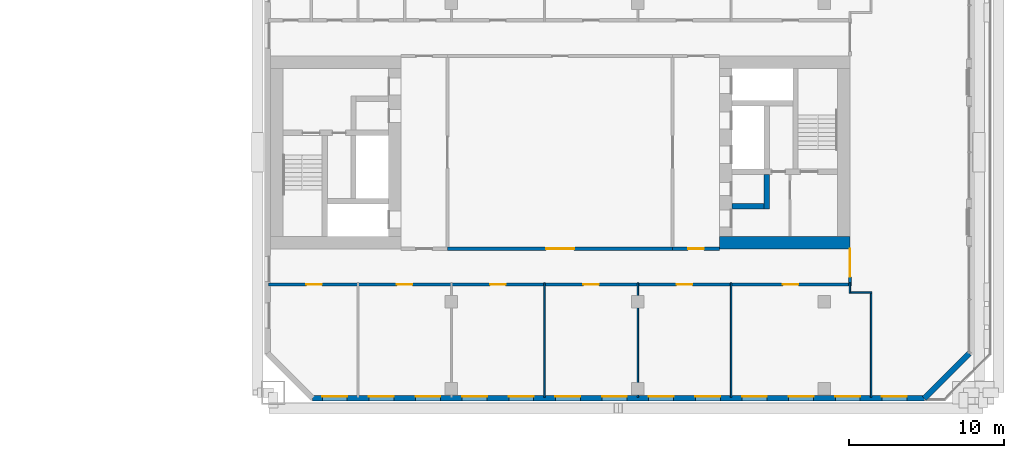
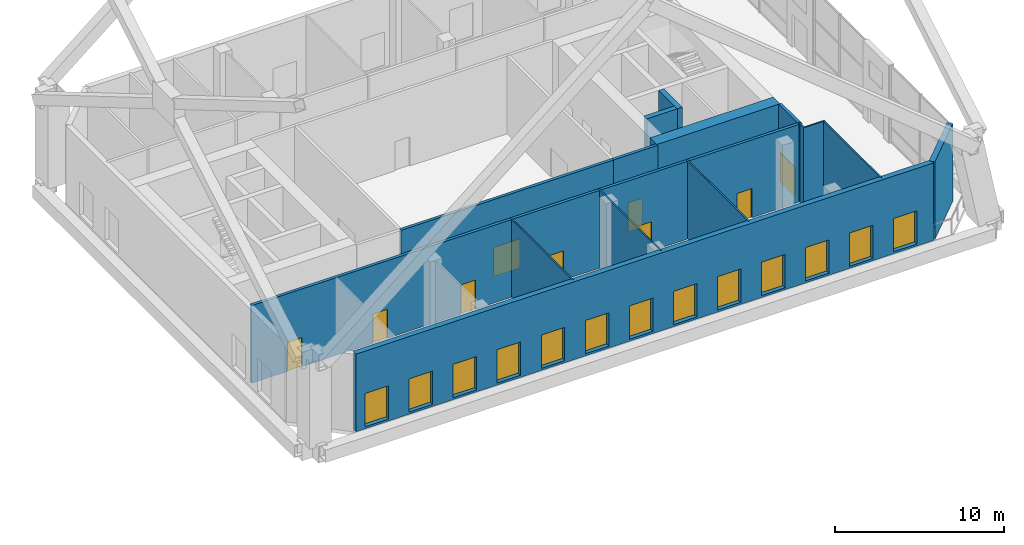
# One storey, part 14 of 20: 15 walls, 13 windows, 9 doors, 22 openings.
"""IFC4 building model written with IfcOpenShell, lengths in metres."""

from ifc_helpers import new_model, si_unit, direction, frame, frame_2d, origin, place, context, subcontext, project, spatial, rectangle, extrude, material, layer, layer_set, type_object, element, fill, save


model = new_model("IFC4")

# Units and contexts
model_context = context("Model", 3, precision=1e-05, world=origin(), true_north=direction((0.0, 1.0)))
body_context = subcontext(model_context, "Body", "Model", "MODEL_VIEW")
ifc_project = project(units=[si_unit("LENGTHUNIT", "METRE"), si_unit("AREAUNIT", "SQUARE_METRE"), si_unit("VOLUMEUNIT", "CUBIC_METRE"), si_unit("PLANEANGLEUNIT", "RADIAN"), si_unit("MASSUNIT", "GRAM", prefix="KILO")], contexts=[model_context])

# Site, building, storey
site_placement = place(None, origin())
site = spatial("IfcSite", under=ifc_project, at=site_placement, CompositionType="ELEMENT")
building_placement = place(site_placement, origin())
building = spatial("IfcBuilding", under=site, at=building_placement, Name="Tuart Gate Housing", CompositionType="ELEMENT")
storey_placement = place(building_placement, frame((0.0, 0.0, 38.10009765625)))
storey = spatial("IfcBuildingStorey", under=building, at=storey_placement, Name="L10", CompositionType="ELEMENT", Elevation=38.10009765625)

# Wall, openings, windows
ifc_material_1 = material(Name="Brick", Category="masonry")
ifc_layer_1 = layer(ifc_material_1, 0.360107421875)
ifc_layer_set_1 = layer_set([ifc_layer_1], Name="Brick pier and spandrel wall 360")
wall_type_1 = type_object("IfcWallType", Name="Brick pier and spandrel wall 360", PredefinedType="STANDARD", material=ifc_layer_set_1)
wall_1_placement = place(storey_placement, frame((134.07470703125, 54.179931640625, 0.0), z_axis=(0.0, 0.0, 1.0), x_axis=(1.0, 0.0, 0.0)))
wall_1 = element("IfcWall", 1, at=wall_1_placement, inside=storey, type_object=wall_type_1, Name="External wall B-S L10", PredefinedType="STANDARD", context=body_context, shape_type="SweptSolid", body=[
    extrude(rectangle(XDim=39.350830078125, YDim=0.360107421875, at=frame_2d((19.67529296875, 0.0))), origin(), (0.0, 0.0, 1.0), 5.599853515625),
])
opening_1_placement = place(wall_1_placement, frame((0.62548828125, 0.0, 0.14990234375)))
opening_1 = element("IfcOpeningElement", 2, at=opening_1_placement, cuts=wall_1, Name="Opening W2", PredefinedType="OPENING", context=body_context, shape_type="SweptSolid", body=[
    extrude(rectangle(XDim=1.60009765625, YDim=2.39990234375, at=frame_2d((0.800048828125, 1.199951171875))), frame((0.0, 0.18994140625, 0.0), z_axis=(0.0, -1.0, 0.0), x_axis=(1.0, 0.0, 0.0)), (0.0, 0.0, 1.0), 0.380126953125),
])
opening_2_placement = place(wall_1_placement, frame((3.62548828125, 0.0, 0.14990234375)))
opening_2 = element("IfcOpeningElement", 3, at=opening_2_placement, cuts=wall_1, Name="Opening W2", PredefinedType="OPENING", context=body_context, shape_type="SweptSolid", body=[
    extrude(rectangle(XDim=1.60009765625, YDim=2.39990234375, at=frame_2d((0.800048828125, 1.199951171875))), frame((0.0, 0.18994140625, 0.0), z_axis=(0.0, -1.0, 0.0), x_axis=(1.0, 0.0, 0.0)), (0.0, 0.0, 1.0), 0.380126953125),
])
opening_3_placement = place(wall_1_placement, frame((6.62548828125, 0.0, 0.14990234375)))
opening_3 = element("IfcOpeningElement", 4, at=opening_3_placement, cuts=wall_1, Name="Opening W2", PredefinedType="OPENING", context=body_context, shape_type="SweptSolid", body=[
    extrude(rectangle(XDim=1.60009765625, YDim=2.39990234375, at=frame_2d((0.800048828125, 1.199951171875))), frame((0.0, 0.18994140625, 0.0), z_axis=(0.0, -1.0, 0.0), x_axis=(1.0, 0.0, 0.0)), (0.0, 0.0, 1.0), 0.380126953125),
])
opening_4_placement = place(wall_1_placement, frame((9.62548828125, 0.0, 0.14990234375)))
opening_4 = element("IfcOpeningElement", 5, at=opening_4_placement, cuts=wall_1, Name="Opening W2", PredefinedType="OPENING", context=body_context, shape_type="SweptSolid", body=[
    extrude(rectangle(XDim=1.60009765625, YDim=2.39990234375, at=frame_2d((0.800048828125, 1.199951171875))), frame((0.0, 0.18994140625, 0.0), z_axis=(0.0, -1.0, 0.0), x_axis=(1.0, 0.0, 0.0)), (0.0, 0.0, 1.0), 0.380126953125),
])
opening_5_placement = place(wall_1_placement, frame((12.62548828125, 0.0, 0.14990234375)))
opening_5 = element("IfcOpeningElement", 6, at=opening_5_placement, cuts=wall_1, Name="Opening W2", PredefinedType="OPENING", context=body_context, shape_type="SweptSolid", body=[
    extrude(rectangle(XDim=1.60009765625, YDim=2.39990234375, at=frame_2d((0.800048828125, 1.199951171875))), frame((0.0, 0.18994140625, 0.0), z_axis=(0.0, -1.0, 0.0), x_axis=(1.0, 0.0, 0.0)), (0.0, 0.0, 1.0), 0.380126953125),
])
opening_6_placement = place(wall_1_placement, frame((15.62548828125, 0.0, 0.14990234375)))
opening_6 = element("IfcOpeningElement", 7, at=opening_6_placement, cuts=wall_1, Name="Opening W2", PredefinedType="OPENING", context=body_context, shape_type="SweptSolid", body=[
    extrude(rectangle(XDim=1.60009765625, YDim=2.39990234375, at=frame_2d((0.800048828125, 1.199951171875))), frame((0.0, 0.18994140625, 0.0), z_axis=(0.0, -1.0, 0.0), x_axis=(1.0, 0.0, 0.0)), (0.0, 0.0, 1.0), 0.380126953125),
])
opening_7_placement = place(wall_1_placement, frame((18.62548828125, 0.0, 0.14990234375)))
opening_7 = element("IfcOpeningElement", 8, at=opening_7_placement, cuts=wall_1, Name="Opening W2", PredefinedType="OPENING", context=body_context, shape_type="SweptSolid", body=[
    extrude(rectangle(XDim=1.60009765625, YDim=2.39990234375, at=frame_2d((0.800048828125, 1.199951171875))), frame((0.0, 0.18994140625, 0.0), z_axis=(0.0, -1.0, 0.0), x_axis=(1.0, 0.0, 0.0)), (0.0, 0.0, 1.0), 0.380126953125),
])
opening_8_placement = place(wall_1_placement, frame((21.62548828125, 0.0, 0.14990234375)))
opening_8 = element("IfcOpeningElement", 9, at=opening_8_placement, cuts=wall_1, Name="Opening W2", PredefinedType="OPENING", context=body_context, shape_type="SweptSolid", body=[
    extrude(rectangle(XDim=1.60009765625, YDim=2.39990234375, at=frame_2d((0.800048828125, 1.199951171875))), frame((0.0, 0.18994140625, 0.0), z_axis=(0.0, -1.0, 0.0), x_axis=(1.0, 0.0, 0.0)), (0.0, 0.0, 1.0), 0.380126953125),
])
opening_9_placement = place(wall_1_placement, frame((24.62548828125, 0.0, 0.14990234375)))
opening_9 = element("IfcOpeningElement", 10, at=opening_9_placement, cuts=wall_1, Name="Opening W2", PredefinedType="OPENING", context=body_context, shape_type="SweptSolid", body=[
    extrude(rectangle(XDim=1.60009765625, YDim=2.39990234375, at=frame_2d((0.800048828125, 1.199951171875))), frame((0.0, 0.18994140625, 0.0), z_axis=(0.0, -1.0, 0.0), x_axis=(1.0, 0.0, 0.0)), (0.0, 0.0, 1.0), 0.380126953125),
])
opening_10_placement = place(wall_1_placement, frame((27.62548828125, 0.0, 0.14990234375)))
opening_10 = element("IfcOpeningElement", 11, at=opening_10_placement, cuts=wall_1, Name="Opening W2", PredefinedType="OPENING", context=body_context, shape_type="SweptSolid", body=[
    extrude(rectangle(XDim=1.60009765625, YDim=2.39990234375, at=frame_2d((0.800048828125, 1.199951171875))), frame((0.0, 0.18994140625, 0.0), z_axis=(0.0, -1.0, 0.0), x_axis=(1.0, 0.0, 0.0)), (0.0, 0.0, 1.0), 0.380126953125),
])
opening_11_placement = place(wall_1_placement, frame((30.62548828125, 0.0, 0.14990234375)))
opening_11 = element("IfcOpeningElement", 12, at=opening_11_placement, cuts=wall_1, Name="Opening W2", PredefinedType="OPENING", context=body_context, shape_type="SweptSolid", body=[
    extrude(rectangle(XDim=1.60009765625, YDim=2.39990234375, at=frame_2d((0.800048828125, 1.199951171875))), frame((0.0, 0.18994140625, 0.0), z_axis=(0.0, -1.0, 0.0), x_axis=(1.0, 0.0, 0.0)), (0.0, 0.0, 1.0), 0.380126953125),
])
opening_12_placement = place(wall_1_placement, frame((33.62548828125, 0.0, 0.14990234375)))
opening_12 = element("IfcOpeningElement", 13, at=opening_12_placement, cuts=wall_1, Name="Opening W2", PredefinedType="OPENING", context=body_context, shape_type="SweptSolid", body=[
    extrude(rectangle(XDim=1.60009765625, YDim=2.39990234375, at=frame_2d((0.800048828125, 1.199951171875))), frame((0.0, 0.18994140625, 0.0), z_axis=(0.0, -1.0, 0.0), x_axis=(1.0, 0.0, 0.0)), (0.0, 0.0, 1.0), 0.380126953125),
])
opening_13_placement = place(wall_1_placement, frame((36.62548828125, 0.0, 0.14990234375)))
opening_13 = element("IfcOpeningElement", 14, at=opening_13_placement, cuts=wall_1, Name="Opening W2", PredefinedType="OPENING", context=body_context, shape_type="SweptSolid", body=[
    extrude(rectangle(XDim=1.60009765625, YDim=2.39990234375, at=frame_2d((0.800048828125, 1.199951171875))), frame((0.0, 0.18994140625, 0.0), z_axis=(0.0, -1.0, 0.0), x_axis=(1.0, 0.0, 0.0)), (0.0, 0.0, 1.0), 0.380126953125),
])
ifc_material_2 = material(Name="Aluminium frame with clear glass", Category="aluminium")
window_type = type_object("IfcWindowType", Name="Garden lounge window 1600 x 2400", PartitioningType="SINGLE_PANEL", PredefinedType="WINDOW", material=ifc_material_2)
window_1_placement = place(opening_1_placement, origin())
window_1 = element("IfcWindow", 15, at=window_1_placement, inside=storey, type_object=window_type, Name="Window W2", OverallHeight=2.39990234375, OverallWidth=1.60009765625, PartitioningType="SINGLE_PANEL", PredefinedType="WINDOW", context=body_context, shape_type="SweptSolid", body=[
    extrude(rectangle(XDim=1.60009765625, YDim=2.39990234375, at=frame_2d((0.800048828125, 1.199951171875))), frame((0.0, 0.150146484375, 0.0), z_axis=(0.0, -1.0, 0.0), x_axis=(1.0, 0.0, 0.0)), (0.0, 0.0, 1.0), 0.06005859375),
])
fill(opening_1, window_1)
window_2_placement = place(opening_2_placement, origin())
window_2 = element("IfcWindow", 16, at=window_2_placement, inside=storey, type_object=window_type, Name="Window W2", OverallHeight=2.39990234375, OverallWidth=1.60009765625, PartitioningType="SINGLE_PANEL", PredefinedType="WINDOW", context=body_context, shape_type="SweptSolid", body=[
    extrude(rectangle(XDim=1.60009765625, YDim=2.39990234375, at=frame_2d((0.800048828125, 1.199951171875))), frame((0.0, 0.150146484375, 0.0), z_axis=(0.0, -1.0, 0.0), x_axis=(1.0, 0.0, 0.0)), (0.0, 0.0, 1.0), 0.06005859375),
])
fill(opening_2, window_2)
window_3_placement = place(opening_3_placement, origin())
window_3 = element("IfcWindow", 17, at=window_3_placement, inside=storey, type_object=window_type, Name="Window W2", OverallHeight=2.39990234375, OverallWidth=1.60009765625, PartitioningType="SINGLE_PANEL", PredefinedType="WINDOW", context=body_context, shape_type="SweptSolid", body=[
    extrude(rectangle(XDim=1.60009765625, YDim=2.39990234375, at=frame_2d((0.800048828125, 1.199951171875))), frame((0.0, 0.150146484375, 0.0), z_axis=(0.0, -1.0, 0.0), x_axis=(1.0, 0.0, 0.0)), (0.0, 0.0, 1.0), 0.06005859375),
])
fill(opening_3, window_3)
window_4_placement = place(opening_4_placement, origin())
window_4 = element("IfcWindow", 18, at=window_4_placement, inside=storey, type_object=window_type, Name="Window W2", OverallHeight=2.39990234375, OverallWidth=1.60009765625, PartitioningType="SINGLE_PANEL", PredefinedType="WINDOW", context=body_context, shape_type="SweptSolid", body=[
    extrude(rectangle(XDim=1.60009765625, YDim=2.39990234375, at=frame_2d((0.800048828125, 1.199951171875))), frame((0.0, 0.150146484375, 0.0), z_axis=(0.0, -1.0, 0.0), x_axis=(1.0, 0.0, 0.0)), (0.0, 0.0, 1.0), 0.06005859375),
])
fill(opening_4, window_4)
window_5_placement = place(opening_5_placement, origin())
window_5 = element("IfcWindow", 19, at=window_5_placement, inside=storey, type_object=window_type, Name="Window W2", OverallHeight=2.39990234375, OverallWidth=1.60009765625, PartitioningType="SINGLE_PANEL", PredefinedType="WINDOW", context=body_context, shape_type="SweptSolid", body=[
    extrude(rectangle(XDim=1.60009765625, YDim=2.39990234375, at=frame_2d((0.800048828125, 1.199951171875))), frame((0.0, 0.150146484375, 0.0), z_axis=(0.0, -1.0, 0.0), x_axis=(1.0, 0.0, 0.0)), (0.0, 0.0, 1.0), 0.06005859375),
])
fill(opening_5, window_5)
window_6_placement = place(opening_6_placement, origin())
window_6 = element("IfcWindow", 20, at=window_6_placement, inside=storey, type_object=window_type, Name="Window W2", OverallHeight=2.39990234375, OverallWidth=1.60009765625, PartitioningType="SINGLE_PANEL", PredefinedType="WINDOW", context=body_context, shape_type="SweptSolid", body=[
    extrude(rectangle(XDim=1.60009765625, YDim=2.39990234375, at=frame_2d((0.800048828125, 1.199951171875))), frame((0.0, 0.150146484375, 0.0), z_axis=(0.0, -1.0, 0.0), x_axis=(1.0, 0.0, 0.0)), (0.0, 0.0, 1.0), 0.06005859375),
])
fill(opening_6, window_6)
window_7_placement = place(opening_7_placement, origin())
window_7 = element("IfcWindow", 21, at=window_7_placement, inside=storey, type_object=window_type, Name="Window W2", OverallHeight=2.39990234375, OverallWidth=1.60009765625, PartitioningType="SINGLE_PANEL", PredefinedType="WINDOW", context=body_context, shape_type="SweptSolid", body=[
    extrude(rectangle(XDim=1.60009765625, YDim=2.39990234375, at=frame_2d((0.800048828125, 1.199951171875))), frame((0.0, 0.150146484375, 0.0), z_axis=(0.0, -1.0, 0.0), x_axis=(1.0, 0.0, 0.0)), (0.0, 0.0, 1.0), 0.06005859375),
])
fill(opening_7, window_7)
window_8_placement = place(opening_8_placement, origin())
window_8 = element("IfcWindow", 22, at=window_8_placement, inside=storey, type_object=window_type, Name="Window W2", OverallHeight=2.39990234375, OverallWidth=1.60009765625, PartitioningType="SINGLE_PANEL", PredefinedType="WINDOW", context=body_context, shape_type="SweptSolid", body=[
    extrude(rectangle(XDim=1.60009765625, YDim=2.39990234375, at=frame_2d((0.800048828125, 1.199951171875))), frame((0.0, 0.150146484375, 0.0), z_axis=(0.0, -1.0, 0.0), x_axis=(1.0, 0.0, 0.0)), (0.0, 0.0, 1.0), 0.06005859375),
])
fill(opening_8, window_8)
window_9_placement = place(opening_9_placement, origin())
window_9 = element("IfcWindow", 23, at=window_9_placement, inside=storey, type_object=window_type, Name="Window W2", OverallHeight=2.39990234375, OverallWidth=1.60009765625, PartitioningType="SINGLE_PANEL", PredefinedType="WINDOW", context=body_context, shape_type="SweptSolid", body=[
    extrude(rectangle(XDim=1.60009765625, YDim=2.39990234375, at=frame_2d((0.800048828125, 1.199951171875))), frame((0.0, 0.150146484375, 0.0), z_axis=(0.0, -1.0, 0.0), x_axis=(1.0, 0.0, 0.0)), (0.0, 0.0, 1.0), 0.06005859375),
])
fill(opening_9, window_9)
window_10_placement = place(opening_10_placement, origin())
window_10 = element("IfcWindow", 24, at=window_10_placement, inside=storey, type_object=window_type, Name="Window W2", OverallHeight=2.39990234375, OverallWidth=1.60009765625, PartitioningType="SINGLE_PANEL", PredefinedType="WINDOW", context=body_context, shape_type="SweptSolid", body=[
    extrude(rectangle(XDim=1.60009765625, YDim=2.39990234375, at=frame_2d((0.800048828125, 1.199951171875))), frame((0.0, 0.150146484375, 0.0), z_axis=(0.0, -1.0, 0.0), x_axis=(1.0, 0.0, 0.0)), (0.0, 0.0, 1.0), 0.06005859375),
])
fill(opening_10, window_10)
window_11_placement = place(opening_11_placement, origin())
window_11 = element("IfcWindow", 25, at=window_11_placement, inside=storey, type_object=window_type, Name="Window W2", OverallHeight=2.39990234375, OverallWidth=1.60009765625, PartitioningType="SINGLE_PANEL", PredefinedType="WINDOW", context=body_context, shape_type="SweptSolid", body=[
    extrude(rectangle(XDim=1.60009765625, YDim=2.39990234375, at=frame_2d((0.800048828125, 1.199951171875))), frame((0.0, 0.150146484375, 0.0), z_axis=(0.0, -1.0, 0.0), x_axis=(1.0, 0.0, 0.0)), (0.0, 0.0, 1.0), 0.06005859375),
])
fill(opening_11, window_11)
window_12_placement = place(opening_12_placement, origin())
window_12 = element("IfcWindow", 26, at=window_12_placement, inside=storey, type_object=window_type, Name="Window W2", OverallHeight=2.39990234375, OverallWidth=1.60009765625, PartitioningType="SINGLE_PANEL", PredefinedType="WINDOW", context=body_context, shape_type="SweptSolid", body=[
    extrude(rectangle(XDim=1.60009765625, YDim=2.39990234375, at=frame_2d((0.800048828125, 1.199951171875))), frame((0.0, 0.150146484375, 0.0), z_axis=(0.0, -1.0, 0.0), x_axis=(1.0, 0.0, 0.0)), (0.0, 0.0, 1.0), 0.06005859375),
])
fill(opening_12, window_12)
window_13_placement = place(opening_13_placement, origin())
window_13 = element("IfcWindow", 27, at=window_13_placement, inside=storey, type_object=window_type, Name="Window W2", OverallHeight=2.39990234375, OverallWidth=1.60009765625, PartitioningType="SINGLE_PANEL", PredefinedType="WINDOW", context=body_context, shape_type="SweptSolid", body=[
    extrude(rectangle(XDim=1.60009765625, YDim=2.39990234375, at=frame_2d((0.800048828125, 1.199951171875))), frame((0.0, 0.150146484375, 0.0), z_axis=(0.0, -1.0, 0.0), x_axis=(1.0, 0.0, 0.0)), (0.0, 0.0, 1.0), 0.06005859375),
])
fill(opening_13, window_13)

# Walls
wall_2_placement = place(storey_placement, frame((173.42529296875, 54.179931640625, 0.0), z_axis=(0.0, 0.0, 1.0), x_axis=(0.707106781187, 0.707106781187, 0.0)))
element("IfcWall", 28, at=wall_2_placement, inside=storey, type_object=wall_type_1, Name="External wall B-SE L10", PredefinedType="STANDARD", context=body_context, shape_type="SweptSolid", body=[
    extrude(rectangle(XDim=4.09375, YDim=0.360107421875, at=frame_2d((2.046875, 0.0))), origin(), (0.0, 0.0, 1.0), 5.599853515625),
])
ifc_material_3 = material(Name="Concrete C60", Category="concrete")
ifc_layer_2 = layer(ifc_material_3, 0.35009765625)
ifc_layer_set_2 = layer_set([ifc_layer_2], Name="Core wall 350 C60")
wall_type_2 = type_object("IfcWallType", Name="Core wall 350 C60", PredefinedType="SHEAR", material=ifc_layer_set_2)
wall_3_placement = place(storey_placement, frame((161.0400390625, 66.550048828125, 0.0), z_axis=(0.0, 0.0, 1.0), x_axis=(1.0, 0.0, 0.0)))
element("IfcWall", 29, at=wall_3_placement, inside=storey, type_object=wall_type_2, Name="Core wall BK.3", PredefinedType="SHEAR", context=body_context, shape_type="SweptSolid", body=[
    extrude(rectangle(XDim=2.074951171875, YDim=0.35009765625, at=frame_2d((1.03759765625, 0.0))), origin(), (0.0, 0.0, 1.0), 5.599853515625),
])
wall_4_placement = place(storey_placement, frame((163.2900390625, 68.574951171875, 0.0), z_axis=(0.0, 0.0, 1.0), x_axis=(0.0, -1.0, 0.0)))
element("IfcWall", 30, at=wall_4_placement, inside=storey, type_object=wall_type_2, Name="Core wall BK.5", PredefinedType="SHEAR", context=body_context, shape_type="SweptSolid", body=[
    extrude(rectangle(XDim=2.199951171875, YDim=0.35009765625, at=frame_2d((1.10009765625, 0.0))), origin(), (0.0, 0.0, 1.0), 5.599853515625),
])
ifc_material_4 = material(Name="Concrete C60", Category="concrete")
ifc_layer_3 = layer(ifc_material_4, 0.800048828125)
ifc_layer_set_3 = layer_set([ifc_layer_3], Name="Core wall 800 C60")
wall_type_3 = type_object("IfcWallType", Name="Core wall 800 C60", PredefinedType="SHEAR", material=ifc_layer_set_3)
wall_5_placement = place(storey_placement, frame((160.239990234375, 64.199951171875, 0.0), z_axis=(0.0, 0.0, 1.0), x_axis=(1.0, 0.0, 0.0)))
element("IfcWall", 31, at=wall_5_placement, inside=storey, type_object=wall_type_3, Name="Core wall BK north", PredefinedType="SHEAR", context=body_context, shape_type="SweptSolid", body=[
    extrude(rectangle(XDim=8.39990234375, YDim=0.800048828125, at=frame_2d((4.199951171875, 0.0))), origin(), (0.0, 0.0, 1.0), 5.599853515625),
])

# Wall, openings, doors
ifc_material_5 = material(Name="Concrete masonry 15 MPa", Category="masonry")
ifc_layer_4 = layer(ifc_material_5, 0.199951171875)
ifc_layer_set_4 = layer_set([ifc_layer_4], Name="Corridor wall masonry 200")
wall_type_4 = type_object("IfcWallType", Name="Corridor wall masonry 200", PredefinedType="PARTITIONING", material=ifc_layer_set_4)
wall_6_placement = place(storey_placement, frame((131.239990234375, 61.5, 0.0), z_axis=(0.0, 0.0, 1.0), x_axis=(1.0, 0.0, 0.0)))
wall_6 = element("IfcWall", 32, at=wall_6_placement, inside=storey, type_object=wall_type_4, Name="Corridor wall masonry 200", PredefinedType="PARTITIONING", context=body_context, shape_type="SweptSolid", body=[
    extrude(rectangle(XDim=37.5, YDim=0.199951171875, at=frame_2d((18.75, 0.0))), origin(), (0.0, 0.0, 1.0), 5.599853515625),
])
opening_14_placement = place(wall_6_placement, frame((2.43994140625, 0.0, 0.0)))
opening_14 = element("IfcOpeningElement", 33, at=opening_14_placement, cuts=wall_6, Name="Opening D2848", PredefinedType="OPENING", context=body_context, shape_type="SweptSolid", body=[
    extrude(rectangle(XDim=1.0, YDim=2.10009765625, at=frame_2d((0.5, 1.050048828125))), frame((0.0, 0.10986328125, 0.0), z_axis=(0.0, -1.0, 0.0), x_axis=(1.0, 0.0, 0.0)), (0.0, 0.0, 1.0), 0.219970703125),
])
opening_15_placement = place(wall_6_placement, frame((8.260009765625, 0.0, 0.0)))
opening_15 = element("IfcOpeningElement", 34, at=opening_15_placement, cuts=wall_6, Name="Opening D2849", PredefinedType="OPENING", context=body_context, shape_type="SweptSolid", body=[
    extrude(rectangle(XDim=1.0, YDim=2.10009765625, at=frame_2d((0.5, 1.050048828125))), frame((0.0, 0.10986328125, 0.0), z_axis=(0.0, -1.0, 0.0), x_axis=(1.0, 0.0, 0.0)), (0.0, 0.0, 1.0), 0.219970703125),
])
opening_16_placement = place(wall_6_placement, frame((14.260009765625, 0.0, 0.0)))
opening_16 = element("IfcOpeningElement", 35, at=opening_16_placement, cuts=wall_6, Name="Opening D2850", PredefinedType="OPENING", context=body_context, shape_type="SweptSolid", body=[
    extrude(rectangle(XDim=1.0, YDim=2.10009765625, at=frame_2d((0.5, 1.050048828125))), frame((0.0, 0.10986328125, 0.0), z_axis=(0.0, -1.0, 0.0), x_axis=(1.0, 0.0, 0.0)), (0.0, 0.0, 1.0), 0.219970703125),
])
opening_17_placement = place(wall_6_placement, frame((20.260009765625, 0.0, 0.0)))
opening_17 = element("IfcOpeningElement", 36, at=opening_17_placement, cuts=wall_6, Name="Opening D2851", PredefinedType="OPENING", context=body_context, shape_type="SweptSolid", body=[
    extrude(rectangle(XDim=1.0, YDim=2.10009765625, at=frame_2d((0.5, 1.050048828125))), frame((0.0, 0.10986328125, 0.0), z_axis=(0.0, -1.0, 0.0), x_axis=(1.0, 0.0, 0.0)), (0.0, 0.0, 1.0), 0.219970703125),
])
opening_18_placement = place(wall_6_placement, frame((26.260009765625, 0.0, 0.0)))
opening_18 = element("IfcOpeningElement", 37, at=opening_18_placement, cuts=wall_6, Name="Opening D2852", PredefinedType="OPENING", context=body_context, shape_type="SweptSolid", body=[
    extrude(rectangle(XDim=1.0, YDim=2.10009765625, at=frame_2d((0.5, 1.050048828125))), frame((0.0, 0.10986328125, 0.0), z_axis=(0.0, -1.0, 0.0), x_axis=(1.0, 0.0, 0.0)), (0.0, 0.0, 1.0), 0.219970703125),
])
opening_19_placement = place(wall_6_placement, frame((33.080078125, 0.0, 0.0)))
opening_19 = element("IfcOpeningElement", 38, at=opening_19_placement, cuts=wall_6, Name="Opening D2853", PredefinedType="OPENING", context=body_context, shape_type="SweptSolid", body=[
    extrude(rectangle(XDim=1.0, YDim=2.10009765625, at=frame_2d((0.5, 1.050048828125))), frame((0.0, 0.10986328125, 0.0), z_axis=(0.0, -1.0, 0.0), x_axis=(1.0, 0.0, 0.0)), (0.0, 0.0, 1.0), 0.219970703125),
])
ifc_material_6 = material(Name="Timber door leaf in steel frame", Category="steel")
door_type_1 = type_object("IfcDoorType", Name="Fire door 1000 RH", OperationType="SINGLE_SWING_RIGHT", PredefinedType="DOOR", material=ifc_material_6)
door_1_placement = place(opening_14_placement, frame((1.0, 0.0, 0.0), z_axis=(0.0, 0.0, 1.0), x_axis=(-1.0, 0.0, 0.0)))
door_1 = element("IfcDoor", 39, at=door_1_placement, inside=storey, type_object=door_type_1, Name="Fire door 1000", OperationType="SINGLE_SWING_RIGHT", OverallHeight=2.10009765625, OverallWidth=1.0, PredefinedType="DOOR", context=body_context, shape_type="SweptSolid", body=[
    extrude(rectangle(XDim=1.0, YDim=2.10009765625, at=frame_2d((0.5, 1.050048828125))), frame((0.0, 0.025146484375, 0.0), z_axis=(0.0, -1.0, 0.0), x_axis=(1.0, 0.0, 0.0)), (0.0, 0.0, 1.0), 0.050048828125),
])
fill(opening_14, door_1)
door_2_placement = place(opening_15_placement, frame((1.0, 0.0, 0.0), z_axis=(0.0, 0.0, 1.0), x_axis=(-1.0, 0.0, 0.0)))
door_2 = element("IfcDoor", 40, at=door_2_placement, inside=storey, type_object=door_type_1, Name="Fire door 1000", OperationType="SINGLE_SWING_RIGHT", OverallHeight=2.10009765625, OverallWidth=1.0, PredefinedType="DOOR", context=body_context, shape_type="SweptSolid", body=[
    extrude(rectangle(XDim=1.0, YDim=2.10009765625, at=frame_2d((0.5, 1.050048828125))), frame((0.0, 0.025146484375, 0.0), z_axis=(0.0, -1.0, 0.0), x_axis=(1.0, 0.0, 0.0)), (0.0, 0.0, 1.0), 0.050048828125),
])
fill(opening_15, door_2)
door_3_placement = place(opening_16_placement, frame((1.0, 0.0, 0.0), z_axis=(0.0, 0.0, 1.0), x_axis=(-1.0, 0.0, 0.0)))
door_3 = element("IfcDoor", 41, at=door_3_placement, inside=storey, type_object=door_type_1, Name="Fire door 1000", OperationType="SINGLE_SWING_RIGHT", OverallHeight=2.10009765625, OverallWidth=1.0, PredefinedType="DOOR", context=body_context, shape_type="SweptSolid", body=[
    extrude(rectangle(XDim=1.0, YDim=2.10009765625, at=frame_2d((0.5, 1.050048828125))), frame((0.0, 0.025146484375, 0.0), z_axis=(0.0, -1.0, 0.0), x_axis=(1.0, 0.0, 0.0)), (0.0, 0.0, 1.0), 0.050048828125),
])
fill(opening_16, door_3)
door_4_placement = place(opening_17_placement, frame((1.0, 0.0, 0.0), z_axis=(0.0, 0.0, 1.0), x_axis=(-1.0, 0.0, 0.0)))
door_4 = element("IfcDoor", 42, at=door_4_placement, inside=storey, type_object=door_type_1, Name="Fire door 1000", OperationType="SINGLE_SWING_RIGHT", OverallHeight=2.10009765625, OverallWidth=1.0, PredefinedType="DOOR", context=body_context, shape_type="SweptSolid", body=[
    extrude(rectangle(XDim=1.0, YDim=2.10009765625, at=frame_2d((0.5, 1.050048828125))), frame((0.0, 0.025146484375, 0.0), z_axis=(0.0, -1.0, 0.0), x_axis=(1.0, 0.0, 0.0)), (0.0, 0.0, 1.0), 0.050048828125),
])
fill(opening_17, door_4)
door_5_placement = place(opening_18_placement, frame((1.0, 0.0, 0.0), z_axis=(0.0, 0.0, 1.0), x_axis=(-1.0, 0.0, 0.0)))
door_5 = element("IfcDoor", 43, at=door_5_placement, inside=storey, type_object=door_type_1, Name="Fire door 1000", OperationType="SINGLE_SWING_RIGHT", OverallHeight=2.10009765625, OverallWidth=1.0, PredefinedType="DOOR", context=body_context, shape_type="SweptSolid", body=[
    extrude(rectangle(XDim=1.0, YDim=2.10009765625, at=frame_2d((0.5, 1.050048828125))), frame((0.0, 0.025146484375, 0.0), z_axis=(0.0, -1.0, 0.0), x_axis=(1.0, 0.0, 0.0)), (0.0, 0.0, 1.0), 0.050048828125),
])
fill(opening_18, door_5)
door_6_placement = place(opening_19_placement, frame((1.0, 0.0, 0.0), z_axis=(0.0, 0.0, 1.0), x_axis=(-1.0, 0.0, 0.0)))
door_6 = element("IfcDoor", 44, at=door_6_placement, inside=storey, type_object=door_type_1, Name="Fire door 1000", OperationType="SINGLE_SWING_RIGHT", OverallHeight=2.10009765625, OverallWidth=1.0, PredefinedType="DOOR", context=body_context, shape_type="SweptSolid", body=[
    extrude(rectangle(XDim=1.0, YDim=2.10009765625, at=frame_2d((0.5, 1.050048828125))), frame((0.0, 0.025146484375, 0.0), z_axis=(0.0, -1.0, 0.0), x_axis=(1.0, 0.0, 0.0)), (0.0, 0.0, 1.0), 0.050048828125),
])
fill(opening_19, door_6)

# Wall, opening, door
wall_7_placement = place(storey_placement, frame((142.760009765625, 63.800048828125, 0.0), z_axis=(0.0, 0.0, 1.0), x_axis=(1.0, 0.0, 0.0)))
wall_7 = element("IfcWall", 45, at=wall_7_placement, inside=storey, type_object=wall_type_4, Name="Corridor wall masonry 200", PredefinedType="PARTITIONING", context=body_context, shape_type="SweptSolid", body=[
    extrude(rectangle(XDim=14.47998046875, YDim=0.199951171875, at=frame_2d((7.239990234375, 0.0))), origin(), (0.0, 0.0, 1.0), 5.599853515625),
])
opening_20_placement = place(wall_7_placement, frame((6.340087890625, 0.0, 0.0)))
opening_20 = element("IfcOpeningElement", 46, at=opening_20_placement, cuts=wall_7, Name="Opening D2845", PredefinedType="OPENING", context=body_context, shape_type="SweptSolid", body=[
    extrude(rectangle(XDim=1.800048828125, YDim=2.10009765625, at=frame_2d((0.89990234375, 1.050048828125))), frame((0.0, 0.10986328125, 0.0), z_axis=(0.0, -1.0, 0.0), x_axis=(1.0, 0.0, 0.0)), (0.0, 0.0, 1.0), 0.219970703125),
])
ifc_material_7 = material(Name="Timber door leaf in steel frame", Category="steel")
door_type_2 = type_object("IfcDoorType", Name="Double door 1800", OperationType="DOUBLE_DOOR_SINGLE_SWING", PredefinedType="DOOR", material=ifc_material_7)
door_7_placement = place(opening_20_placement, origin())
door_7 = element("IfcDoor", 47, at=door_7_placement, inside=storey, type_object=door_type_2, Name="Double door 1800", OperationType="DOUBLE_DOOR_SINGLE_SWING", OverallHeight=2.10009765625, OverallWidth=1.800048828125, PredefinedType="DOOR", context=body_context, shape_type="SweptSolid", body=[
    extrude(rectangle(XDim=1.800048828125, YDim=2.10009765625, at=frame_2d((0.89990234375, 1.050048828125))), frame((0.0, 0.02490234375, 0.0), z_axis=(0.0, -1.0, 0.0), x_axis=(1.0, 0.0, 0.0)), (0.0, 0.0, 1.0), 0.050048828125),
])
fill(opening_20, door_7)

wall_8_placement = place(storey_placement, frame((168.639892578125, 61.39794921875, 0.0), z_axis=(0.0, 0.0, 1.0), x_axis=(0.0, 1.0, 0.0)))
wall_8 = element("IfcWall", 48, at=wall_8_placement, inside=storey, type_object=wall_type_4, Name="Corridor wall masonry 200", PredefinedType="PARTITIONING", context=body_context, shape_type="SweptSolid", body=[
    extrude(rectangle(XDim=2.402099609375, YDim=0.199951171875, at=frame_2d((1.201171875, 0.0))), origin(), (0.0, 0.0, 1.0), 5.599853515625),
])
opening_21_placement = place(wall_8_placement, frame((0.60107421875, 0.0, 0.0)))
opening_21 = element("IfcOpeningElement", 49, at=opening_21_placement, cuts=wall_8, Name="Opening D2847", PredefinedType="OPENING", context=body_context, shape_type="SweptSolid", body=[
    extrude(rectangle(XDim=1.800048828125, YDim=2.10009765625, at=frame_2d((0.89990234375, 1.050048828125))), frame((0.0, 0.10986328125, 0.0), z_axis=(0.0, -1.0, 0.0), x_axis=(1.0, 0.0, 0.0)), (0.0, 0.0, 1.0), 0.219970703125),
])
door_8_placement = place(opening_21_placement, origin())
door_8 = element("IfcDoor", 50, at=door_8_placement, inside=storey, type_object=door_type_2, Name="Double door 1800", OperationType="DOUBLE_DOOR_SINGLE_SWING", OverallHeight=2.10009765625, OverallWidth=1.800048828125, PredefinedType="DOOR", context=body_context, shape_type="SweptSolid", body=[
    extrude(rectangle(XDim=1.800048828125, YDim=2.10009765625, at=frame_2d((0.89990234375, 1.050048828125))), frame((0.0, 0.02490234375, 0.0), z_axis=(0.0, -1.0, 0.0), x_axis=(1.0, 0.0, 0.0)), (0.0, 0.0, 1.0), 0.050048828125),
])
fill(opening_21, door_8)

ifc_material_8 = material(Name="Concrete masonry 15 MPa", Category="masonry")
ifc_layer_5 = layer(ifc_material_8, 0.199951171875)
ifc_layer_set_5 = layer_set([ifc_layer_5], Name="Enclosure wall masonry 200")
wall_type_5 = type_object("IfcWallType", Name="Enclosure wall masonry 200", PredefinedType="PARTITIONING", material=ifc_layer_set_5)
wall_9_placement = place(storey_placement, frame((157.239990234375, 63.800048828125, 0.0), z_axis=(0.0, 0.0, 1.0), x_axis=(1.0, 0.0, 0.0)))
wall_9 = element("IfcWall", 51, at=wall_9_placement, inside=storey, type_object=wall_type_5, Name="Enclosure wall masonry 200", PredefinedType="PARTITIONING", context=body_context, shape_type="SweptSolid", body=[
    extrude(rectangle(XDim=3.0, YDim=0.199951171875, at=frame_2d((1.5, 0.0))), origin(), (0.0, 0.0, 1.0), 5.599853515625),
])
opening_22_placement = place(wall_9_placement, frame((1.0, 0.0, 0.0)))
opening_22 = element("IfcOpeningElement", 52, at=opening_22_placement, cuts=wall_9, Name="Opening D2846", PredefinedType="OPENING", context=body_context, shape_type="SweptSolid", body=[
    extrude(rectangle(XDim=1.0, YDim=2.10009765625, at=frame_2d((0.5, 1.050048828125))), frame((0.0, 0.10986328125, 0.0), z_axis=(0.0, -1.0, 0.0), x_axis=(1.0, 0.0, 0.0)), (0.0, 0.0, 1.0), 0.219970703125),
])
ifc_material_9 = material(Name="Timber door leaf in steel frame", Category="steel")
door_type_3 = type_object("IfcDoorType", Name="Lobby door 1000", OperationType="SINGLE_SWING_LEFT", PredefinedType="DOOR", material=ifc_material_9)
door_9_placement = place(opening_22_placement, origin())
door_9 = element("IfcDoor", 53, at=door_9_placement, inside=storey, type_object=door_type_3, Name="Lobby door 1000", OperationType="SINGLE_SWING_LEFT", OverallHeight=2.10009765625, OverallWidth=1.0, PredefinedType="DOOR", context=body_context, shape_type="SweptSolid", body=[
    extrude(rectangle(XDim=1.0, YDim=2.10009765625, at=frame_2d((0.5, 1.050048828125))), frame((0.0, 0.02490234375, 0.0), z_axis=(0.0, -1.0, 0.0), x_axis=(1.0, 0.0, 0.0)), (0.0, 0.0, 1.0), 0.050048828125),
])
fill(opening_22, door_9)

# Walls
ifc_material_10 = material(Name="Gypsum board on steel studs", Category="steel")
ifc_layer_6 = layer(ifc_material_10, 0.10009765625)
ifc_layer_set_6 = layer_set([ifc_layer_6], Name="Partition 100")
wall_type_6 = type_object("IfcWallType", Name="Partition 100", PredefinedType="PARTITIONING", material=ifc_layer_set_6)
wall_10_placement = place(storey_placement, frame((168.590087890625, 61.0, 0.0), z_axis=(0.0, 0.0, 1.0), x_axis=(1.0, 0.0, 0.0)))
element("IfcWall", 54, at=wall_10_placement, inside=storey, type_object=wall_type_6, Name="Partition 100", PredefinedType="PARTITIONING", context=body_context, shape_type="SweptSolid", body=[
    extrude(rectangle(XDim=1.4599609375, YDim=0.10009765625, at=frame_2d((0.72998046875, 0.0))), origin(), (0.0, 0.0, 1.0), 5.599853515625),
])
for number, where, z_axis, x_axis, name in (
    (55, (149.0, 54.239990234375, 0.0), (0.0, 0.0, 1.0), (0.0, 1.0, 0.0), "Partition 100"),
    (56, (155.0, 54.239990234375, 0.0), (0.0, 0.0, 1.0), (0.0, 1.0, 0.0), "Partition 100"),
    (57, (161.0, 54.239990234375, 0.0), (0.0, 0.0, 1.0), (0.0, 1.0, 0.0), "Partition 100"),
):
    element("IfcWall", number, at=place(storey_placement, frame(where, z_axis=z_axis, x_axis=x_axis)), inside=storey, type_object=wall_type_6, Name=name, PredefinedType="PARTITIONING", context=body_context, shape_type="SweptSolid", body=[
        extrude(rectangle(XDim=7.360107421875, YDim=0.10009765625, at=frame_2d((3.68017578125, 0.0))), origin(), (0.0, 0.0, 1.0), 5.599853515625),
    ])
wall_11_placement = place(storey_placement, frame((168.639892578125, 60.949951171875, 0.0), z_axis=(0.0, 0.0, 1.0), x_axis=(0.0, 1.0, 0.0)))
element("IfcWall", 58, at=wall_11_placement, inside=storey, type_object=wall_type_6, Name="Partition 100", PredefinedType="PARTITIONING", context=body_context, shape_type="SweptSolid", body=[
    extrude(rectangle(XDim=0.650146484375, YDim=0.10009765625, at=frame_2d((0.3251953125, 0.0))), origin(), (0.0, 0.0, 1.0), 5.599853515625),
])
wall_12_placement = place(storey_placement, frame((170.0, 54.239990234375, 0.0), z_axis=(0.0, 0.0, 1.0), x_axis=(0.0, 1.0, 0.0)))
element("IfcWall", 59, at=wall_12_placement, inside=storey, type_object=wall_type_6, Name="Partition 100", PredefinedType="PARTITIONING", context=body_context, shape_type="SweptSolid", body=[
    extrude(rectangle(XDim=6.81005859375, YDim=0.10009765625, at=frame_2d((3.405029296875, 0.0))), origin(), (0.0, 0.0, 1.0), 5.599853515625),
])

save(model, "model.ifc")
